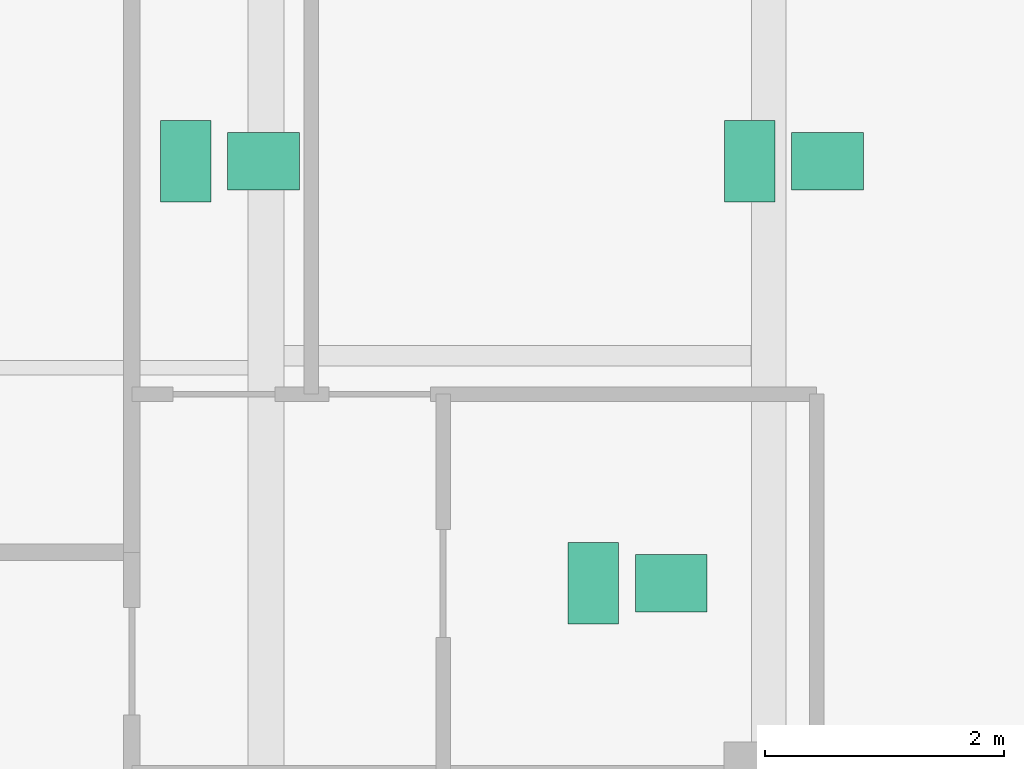
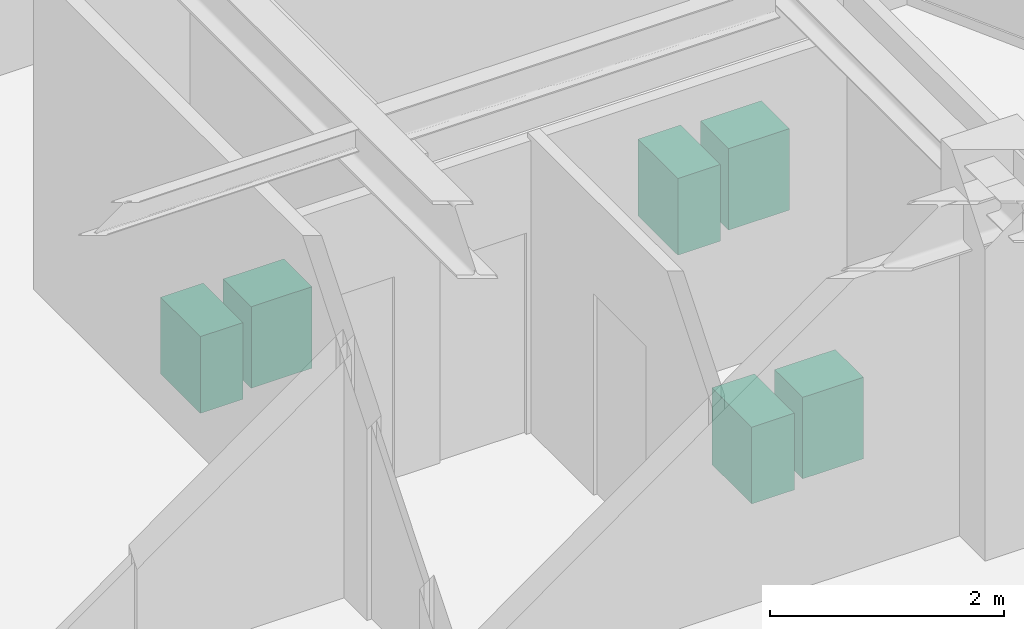
# One storey, part 22 of 22: 6 sanitary terminals.
"""IFC4 building model written with IfcOpenShell, lengths in metres."""

from ifc_helpers import new_model, si_unit, direction, frame, origin, origin_2d, place, context, subcontext, project, spatial, rectangle, extrude, source, transform, mapped, material, type_object, type_shapes, element, save


model = new_model("IFC4")

# Units and contexts
model_context = context("Model", 3, precision=1e-05, world=origin(), true_north=direction((0.0, 1.0)))
body_context = subcontext(model_context, "Body", "Model", "MODEL_VIEW")
ifc_project = project(units=[si_unit("LENGTHUNIT", "METRE"), si_unit("AREAUNIT", "SQUARE_METRE"), si_unit("VOLUMEUNIT", "CUBIC_METRE"), si_unit("PLANEANGLEUNIT", "RADIAN"), si_unit("MASSUNIT", "GRAM", prefix="KILO")], contexts=[model_context])

# Site, building, storey
site_placement = place(None, origin())
site = spatial("IfcSite", under=ifc_project, at=site_placement, CompositionType="ELEMENT")
building_placement = place(site_placement, origin())
building = spatial("IfcBuilding", under=site, at=building_placement, Name="Krantzveldt Concourse Tower", CompositionType="ELEMENT")
storey_placement = place(building_placement, frame((0.0, 0.0, 314.800048828125)))
storey = spatial("IfcBuildingStorey", under=building, at=storey_placement, Name="L77", CompositionType="ELEMENT", Elevation=314.800048828125)

# Sanitary terminals
ifc_material = material(Name="Vitreous china", Category="ceramic")
sanitary_terminal_type_1 = type_object("IfcSanitaryTerminalType", Name="SAN-WC-SUITE", PredefinedType="TOILETPAN", material=ifc_material)
shared_shape_1 = source(origin(), body_context, "Body", "SweptSolid", [
    extrude(rectangle(XDim=0.419921875, YDim=0.679931640625, at=origin_2d()), origin(), (0.0, 0.0, 1.0), 0.800048828125),
])
type_shapes(sanitary_terminal_type_1, [shared_shape_1])
for number, where, z_axis, x_axis, name in (
    (1, (50.8408203125, 31.925048828125, 0.0), (0.0, 0.0, 1.0), (1.0, 0.0, 0.0), "WC-SP-L77-WCM"),
    (2, (46.1298828125, 31.925048828125, 0.0), (0.0, 0.0, 1.0), (1.0, 0.0, 0.0), "WC-SP-L77-WCF"),
    (3, (49.534912109375, 28.39990234375, 0.0), (0.0, 0.0, 1.0), (1.0, 0.0, 0.0), "WC-SP-L77-WCA"),
):
    element("IfcSanitaryTerminal", number, at=place(storey_placement, frame(where, z_axis=z_axis, x_axis=x_axis)), inside=storey, type_object=sanitary_terminal_type_1, Name=name, PredefinedType="TOILETPAN", context=body_context, shape_type="MappedRepresentation", body=[
        mapped(shared_shape_1, transform((0.0, 0.0, 0.0), x_axis=(1.0, 0.0, 0.0), y_axis=(0.0, 1.0, 0.0), z_axis=(0.0, 0.0, 1.0), scale=1.0)),
    ])
sanitary_terminal_type_2 = type_object("IfcSanitaryTerminalType", Name="SAN-BASIN-600", PredefinedType="WASHHANDBASIN", material=ifc_material)
shared_shape_2 = source(origin(), body_context, "Body", "SweptSolid", [
    extrude(rectangle(XDim=0.60009765625, YDim=0.47998046875, at=origin_2d()), origin(), (0.0, 0.0, 1.0), 0.85009765625),
])
type_shapes(sanitary_terminal_type_2, [shared_shape_2])
for number, where, z_axis, x_axis, name in (
    (4, (51.490966796875, 31.925048828125, 0.0048828125), (0.0, 0.0, 1.0), (1.0, 0.0, 0.0), "BSN-SP-L77-WCM"),
    (5, (46.780029296875, 31.925048828125, 0.0048828125), (0.0, 0.0, 1.0), (1.0, 0.0, 0.0), "BSN-SP-L77-WCF"),
    (6, (50.18505859375, 28.39990234375, 0.0048828125), (0.0, 0.0, 1.0), (1.0, 0.0, 0.0), "BSN-SP-L77-WCA"),
):
    element("IfcSanitaryTerminal", number, at=place(storey_placement, frame(where, z_axis=z_axis, x_axis=x_axis)), inside=storey, type_object=sanitary_terminal_type_2, Name=name, PredefinedType="WASHHANDBASIN", context=body_context, shape_type="MappedRepresentation", body=[
        mapped(shared_shape_2, transform((0.0, 0.0, 0.0), x_axis=(1.0, 0.0, 0.0), y_axis=(0.0, 1.0, 0.0), z_axis=(0.0, 0.0, 1.0), scale=1.0)),
    ])

save(model, "model.ifc")
